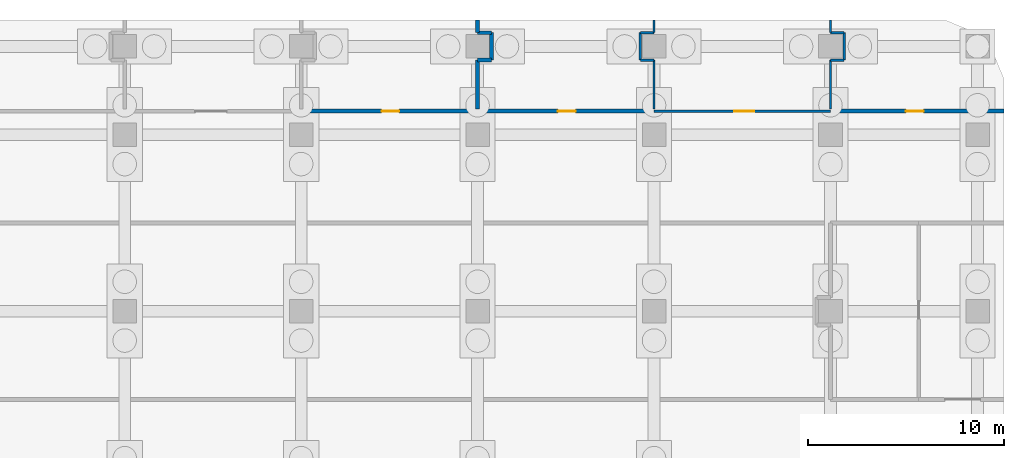
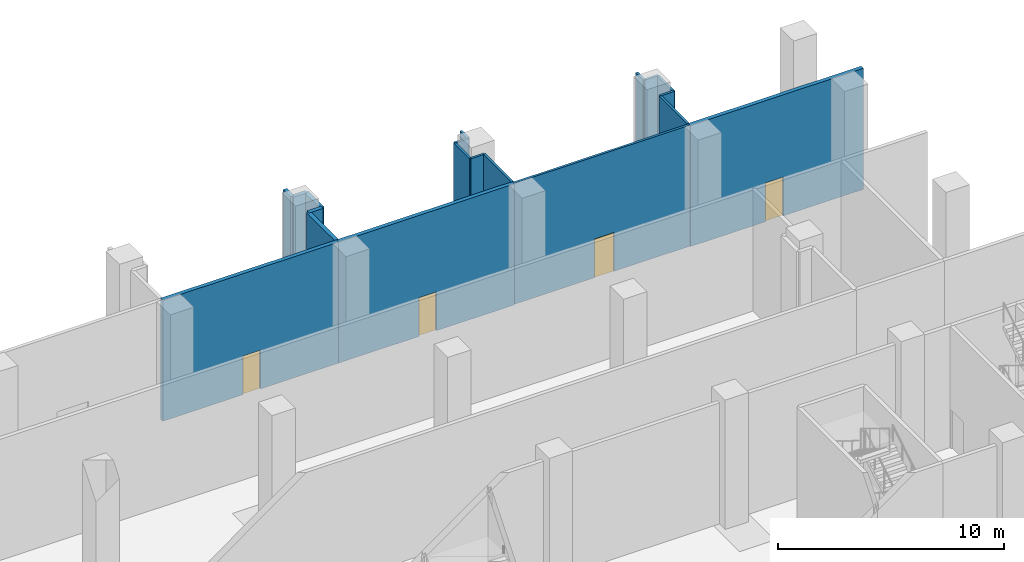
# One storey, part 17 of 23: 19 walls, 4 doors, 4 openings.
"""IFC4 building model written with IfcOpenShell, lengths in metres."""

import ifcopenshell
import ifcopenshell.guid

model = None  # the IFC model being written
_history = None  # IfcOwnerHistory: only IFC2X3 demands one
_inside = {}  # id of a spatial element -> (the spatial element, [elements in it])
_under = {}  # id of a project, library or spatial element -> (it, [spatial elements below it])
_declared = {}  # id of a project -> (the project, [libraries it declares])
_typed = {}  # id of a type object -> (the type object, [elements of that type])
_made_of = {}  # id of a material, layer set ... -> (it, [elements and type objects made of it])


def new_model(schema):
    """Start an empty IFC model of exactly this schema.

    Asked for "IFC4X3", IfcOpenShell would pick the latest addendum, in which some entities
    have other attributes; the version numbers below select the first issue.
    IFC2X3 requires an IfcOwnerHistory on every rooted entity: one is made here for all.
    """
    global model, _history
    if schema == "IFC4X3":
        model = ifcopenshell.file(schema_version=(4, 3, 0, 0))
    else:
        model = ifcopenshell.file(schema=schema)
    _inside.clear()
    _under.clear()
    _declared.clear()
    _typed.clear()
    _made_of.clear()
    _history = None
    if model.schema == "IFC2X3":
        org = make("IfcOrganization", Name="unknown")
        user = make(
            "IfcPersonAndOrganization",
            ThePerson=make("IfcPerson", FamilyName="unknown"),
            TheOrganization=org,
        )
        app = make(
            "IfcApplication",
            ApplicationDeveloper=org,
            Version="unknown",
            ApplicationFullName="unknown",
            ApplicationIdentifier="unknown",
        )
        _history = make(
            "IfcOwnerHistory",
            OwningUser=user,
            OwningApplication=app,
            ChangeAction="ADDED",
            CreationDate=0,
        )
    return model


def make(cls, **values):
    """One entity of the class cls with the attributes given. An attribute that is None is left unset."""
    return model.create_entity(
        cls, **{name: value for name, value in values.items() if value is not None}
    )


def rooted(cls, **values):
    """An entity with a GlobalId (a new one), such as an element, a storey or a relation."""
    return make(cls, GlobalId=ifcopenshell.guid.new(), OwnerHistory=_history, **values)


def si_unit(unit_type, name, prefix=None):
    """IfcSIUnit, for example si_unit("LENGTHUNIT", "METRE", prefix="MILLI")."""
    return make("IfcSIUnit", UnitType=unit_type, Prefix=prefix, Name=name)


def assignment(units):
    """IfcUnitAssignment: the units of a project."""
    return None if units is None else make("IfcUnitAssignment", Units=units)


def point(xyz):
    """IfcCartesianPoint."""
    return None if xyz is None else make("IfcCartesianPoint", Coordinates=xyz)


def direction(xyz):
    """IfcDirection."""
    return None if xyz is None else make("IfcDirection", DirectionRatios=xyz)


def frame(location, z_axis=None, x_axis=None):
    """IfcAxis2Placement3D, a coordinate frame: its origin and axes. An axis left out is left unset."""
    return make(
        "IfcAxis2Placement3D",
        Location=point(location),
        Axis=direction(z_axis),
        RefDirection=direction(x_axis),
    )


def frame_2d(location, x_axis=None):
    """IfcAxis2Placement2D, a coordinate frame in the plane: its origin and x axis."""
    return make(
        "IfcAxis2Placement2D", Location=point(location), RefDirection=direction(x_axis)
    )


def origin():
    """The frame at (0, 0, 0) with its axes left unset."""
    return frame((0.0, 0.0, 0.0))


def place(relative_to, where):
    """IfcLocalPlacement: puts the frame where relative to a parent placement (None: the world)."""
    return make(
        "IfcLocalPlacement", PlacementRelTo=relative_to, RelativePlacement=where
    )


def context(
    kind, dimensions, precision=None, world=None, true_north=None, identifier=None
):
    """IfcGeometricRepresentationContext, for example the 3D "Model" context."""
    return make(
        "IfcGeometricRepresentationContext",
        ContextIdentifier=identifier,
        ContextType=kind,
        CoordinateSpaceDimension=dimensions,
        Precision=precision,
        WorldCoordinateSystem=world,
        TrueNorth=true_north,
    )


def subcontext(parent, identifier, kind, view, scale=None):
    """IfcGeometricRepresentationSubContext, for example "Body" below "Model"."""
    return make(
        "IfcGeometricRepresentationSubContext",
        ContextIdentifier=identifier,
        ContextType=kind,
        ParentContext=parent,
        TargetScale=scale,
        TargetView=view,
    )


def project(units=None, contexts=None):
    """IfcProject with its units and contexts."""
    return rooted(
        "IfcProject",
        Name="project",
        RepresentationContexts=contexts,
        UnitsInContext=assignment(units),
    )


def spatial(cls, under=None, at=None, **own):
    """A site, building, storey or space (cls), placed at a placement, below another one or the project."""
    s = rooted(cls, ObjectPlacement=at, **own)
    if under is not None:
        _under.setdefault(under.id(), (under, []))[1].append(s)
    return s


def profile(cls, at=None, kind="AREA", **sizes):
    """A parametric profile (cls). Its sizes go by their IFC names, for example OverallWidth=200.0."""
    return make(cls, ProfileType=kind, Position=at, **sizes)


def rectangle(**sizes):
    """IfcRectangleProfileDef."""
    return profile("IfcRectangleProfileDef", **sizes)


def extrude(swept, where, along, depth):
    """IfcExtrudedAreaSolid: the profile swept, set in the frame where, extruded along a direction by depth."""
    return make(
        "IfcExtrudedAreaSolid",
        SweptArea=swept,
        Position=where,
        ExtrudedDirection=direction(along),
        Depth=depth,
    )


def shape(context_of_items, identifier, shape_type, items):
    """IfcShapeRepresentation: the items that make up one representation, for example the "Body"."""
    return make(
        "IfcShapeRepresentation",
        ContextOfItems=context_of_items,
        RepresentationIdentifier=identifier,
        RepresentationType=shape_type,
        Items=items,
    )


def material(Name=None, Category=None):
    """IfcMaterial."""
    return make("IfcMaterial", Name=Name, Category=Category)


def layer(
    of_material, thickness, ventilated=None, Name=None, Category=None, Priority=None
):
    """IfcMaterialLayer: one layer of a wall or slab, of a material (None: an air gap)."""
    return make(
        "IfcMaterialLayer",
        Material=of_material,
        LayerThickness=thickness,
        IsVentilated=ventilated,
        Name=Name,
        Category=Category,
        Priority=Priority,
    )


def layer_set(layers, Name=None):
    """IfcMaterialLayerSet."""
    return make("IfcMaterialLayerSet", MaterialLayers=layers, LayerSetName=Name)


def made_of(thing, what):
    """Note that an element or type object is made of a material, layer set ...; save() writes the relation."""
    if what is not None:
        _made_of.setdefault(what.id(), (what, []))[1].append(thing)
    return thing


def type_object(cls, material=None, **own):
    """A type object (cls), such as IfcWallType, which elements share."""
    return made_of(rooted(cls, **own), material)


def element(
    cls,
    number,
    at=None,
    inside=None,
    cuts=None,
    type_object=None,
    material=None,
    context=None,
    identifier="Body",
    shape_type=None,
    held_by="IfcProductDefinitionShape",
    body=None,
    shapes=None,
    **own,
):
    """One element of the class cls, such as IfcWall. Its Tag is "e" and its number.

    at: its placement. inside: the storey or other place that contains it. cuts: it is an
    opening in that element (IfcRelVoidsElement). A single representation is given by context,
    identifier, shape_type and body (its items); several are given by shapes. held_by: the class
    of the entity that holds the representations. save() writes the other relations.
    """
    e = rooted(cls, Tag="e%d" % number, ObjectPlacement=at, **own)
    if body is not None:
        shapes = [shape(context, identifier, shape_type, body)]
    if shapes is not None:
        e.Representation = make(held_by, Representations=shapes)
    if inside is not None:
        _inside.setdefault(inside.id(), (inside, []))[1].append(e)
    if cuts is not None:
        rooted(
            "IfcRelVoidsElement", RelatingBuildingElement=cuts, RelatedOpeningElement=e
        )
    if type_object is not None:
        _typed.setdefault(type_object.id(), (type_object, []))[1].append(e)
    return made_of(e, material)


def fill(opening, filler):
    """IfcRelFillsElement: the door or window that sits in an opening."""
    return rooted(
        "IfcRelFillsElement",
        RelatingOpeningElement=opening,
        RelatedBuildingElement=filler,
    )


def aggregate(whole, parts):
    """IfcRelAggregates: a whole, such as a stair, and the parts it consists of."""
    return rooted("IfcRelAggregates", RelatingObject=whole, RelatedObjects=parts)


def save(model, path):
    """Write the relations noted so far, then the file.

    IfcRelAggregates (storeys below a building ...), IfcRelContainedInSpatialStructure (elements
    in a storey), IfcRelDefinesByType, IfcRelAssociatesMaterial and IfcRelDeclares: one each for
    every whole, place, type object, material and project.
    """
    for whole, parts in _under.values():
        aggregate(whole, parts)
    for where, things in _inside.values():
        rooted(
            "IfcRelContainedInSpatialStructure",
            RelatedElements=things,
            RelatingStructure=where,
        )
    for kind, things in _typed.values():
        rooted("IfcRelDefinesByType", RelatedObjects=things, RelatingType=kind)
    for what, things in _made_of.values():
        rooted("IfcRelAssociatesMaterial", RelatedObjects=things, RelatingMaterial=what)
    for by, libraries in _declared.values():
        rooted("IfcRelDeclares", RelatingContext=by, RelatedDefinitions=libraries)
    model.write(path)


model = new_model("IFC4")

# Units and contexts
model_context = context("Model", 3, precision=1e-05, world=origin(), true_north=direction((0.0, 1.0)))
body_context = subcontext(model_context, "Body", "Model", "MODEL_VIEW")
ifc_project = project(units=[si_unit("LENGTHUNIT", "METRE"), si_unit("AREAUNIT", "SQUARE_METRE"), si_unit("VOLUMEUNIT", "CUBIC_METRE"), si_unit("PLANEANGLEUNIT", "RADIAN"), si_unit("MASSUNIT", "GRAM", prefix="KILO")], contexts=[model_context])

# Site, building, storey
site_placement = place(None, origin())
site = spatial("IfcSite", under=ifc_project, at=site_placement, CompositionType="ELEMENT")
building_placement = place(site_placement, origin())
building = spatial("IfcBuilding", under=site, at=building_placement, Name="Plateau Cross Towers", CompositionType="ELEMENT")
storey_placement = place(building_placement, frame((0.0, 0.0, -7.0)))
storey = spatial("IfcBuildingStorey", under=building, at=storey_placement, Name="B1", CompositionType="ELEMENT", Elevation=-7.0)

# Wall, opening, door
ifc_material_1 = material(Name="Gypsum board on steel studs, two layers each side", Category="steel")
ifc_layer_1 = layer(ifc_material_1, 0.199951171875)
ifc_layer_set_1 = layer_set([ifc_layer_1], Name="Gypsum board on steel studs, two layers each side")
wall_type_1 = type_object("IfcWallType", Name="Podium compartment wall 200", PredefinedType="PARTITIONING", material=ifc_layer_set_1)
wall_1_placement = place(storey_placement, frame((81.0, 55.199951171875, 0.0), z_axis=(0.0, 0.0, 1.0), x_axis=(1.0, 0.0, 0.0)))
wall_1 = element("IfcWall", 1, at=wall_1_placement, inside=storey, type_object=wall_type_1, Name="Partition wall", PredefinedType="PARTITIONING", context=body_context, shape_type="SweptSolid", body=[
    extrude(rectangle(XDim=9.0, YDim=0.199951171875, at=frame_2d((4.5, 0.0))), origin(), (0.0, 0.0, 1.0), 6.550048828125),
])
opening_1_placement = place(wall_1_placement, frame((4.10009765625, 0.0, 0.0)))
opening_1 = element("IfcOpeningElement", 2, at=opening_1_placement, cuts=wall_1, Name="Opening B1-26", PredefinedType="OPENING", context=body_context, shape_type="SweptSolid", body=[
    extrude(rectangle(XDim=0.89990234375, YDim=2.10009765625, at=frame_2d((0.449951171875, 1.050048828125))), frame((0.0, 0.10986328125, 0.0), z_axis=(0.0, -1.0, 0.0), x_axis=(1.0, 0.0, 0.0)), (0.0, 0.0, 1.0), 0.219970703125),
])
ifc_material_2 = material(Name="Timber, fire-resisting leaf", Category="wood")
door_type_1 = type_object("IfcDoorType", Name="Podium service door 900", OperationType="NOTDEFINED", PredefinedType="DOOR", material=ifc_material_2)
door_1_placement = place(opening_1_placement, origin())
door_1 = element("IfcDoor", 3, at=door_1_placement, inside=storey, type_object=door_type_1, Name="Door B1-26", OperationType="SINGLE_SWING_LEFT", OverallHeight=2.10009765625, OverallWidth=0.89990234375, PredefinedType="DOOR", context=body_context, shape_type="SweptSolid", body=[
    extrude(rectangle(XDim=0.89990234375, YDim=2.10009765625, at=frame_2d((0.449951171875, 1.050048828125))), frame((0.0, 0.02490234375, 0.0), z_axis=(0.0, -1.0, 0.0), x_axis=(1.0, 0.0, 0.0)), (0.0, 0.0, 1.0), 0.050048828125),
])
fill(opening_1, door_1)

wall_2_placement = place(storey_placement, frame((72.0, 55.199951171875, 0.0), z_axis=(0.0, 0.0, 1.0), x_axis=(1.0, 0.0, 0.0)))
wall_2 = element("IfcWall", 4, at=wall_2_placement, inside=storey, type_object=wall_type_1, Name="Partition wall", PredefinedType="PARTITIONING", context=body_context, shape_type="SweptSolid", body=[
    extrude(rectangle(XDim=9.0, YDim=0.199951171875, at=frame_2d((4.5, 0.0))), origin(), (0.0, 0.0, 1.0), 6.550048828125),
])
opening_2_placement = place(wall_2_placement, frame((4.10009765625, 0.0, 0.0)))
opening_2 = element("IfcOpeningElement", 5, at=opening_2_placement, cuts=wall_2, Name="Opening B1-25", PredefinedType="OPENING", context=body_context, shape_type="SweptSolid", body=[
    extrude(rectangle(XDim=0.89990234375, YDim=2.10009765625, at=frame_2d((0.449951171875, 1.050048828125))), frame((0.0, 0.10986328125, 0.0), z_axis=(0.0, -1.0, 0.0), x_axis=(1.0, 0.0, 0.0)), (0.0, 0.0, 1.0), 0.219970703125),
])
door_2_placement = place(opening_2_placement, origin())
door_2 = element("IfcDoor", 6, at=door_2_placement, inside=storey, type_object=door_type_1, Name="Door B1-25", OperationType="SINGLE_SWING_LEFT", OverallHeight=2.10009765625, OverallWidth=0.89990234375, PredefinedType="DOOR", context=body_context, shape_type="SweptSolid", body=[
    extrude(rectangle(XDim=0.89990234375, YDim=2.10009765625, at=frame_2d((0.449951171875, 1.050048828125))), frame((0.0, 0.02490234375, 0.0), z_axis=(0.0, -1.0, 0.0), x_axis=(1.0, 0.0, 0.0)), (0.0, 0.0, 1.0), 0.050048828125),
])
fill(opening_2, door_2)

ifc_material_3 = material(Name="Gypsum board on steel studs", Category="steel")
ifc_layer_2 = layer(ifc_material_3, 0.199951171875)
ifc_layer_set_2 = layer_set([ifc_layer_2], Name="Gypsum board on steel studs")
wall_type_2 = type_object("IfcWallType", Name="Podium partition 200", PredefinedType="PARTITIONING", material=ifc_layer_set_2)
wall_3_placement = place(storey_placement, frame((99.0, 55.199951171875, 0.0), z_axis=(0.0, 0.0, 1.0), x_axis=(1.0, 0.0, 0.0)))
wall_3 = element("IfcWall", 7, at=wall_3_placement, inside=storey, type_object=wall_type_2, Name="Partition wall", PredefinedType="PARTITIONING", context=body_context, shape_type="SweptSolid", body=[
    extrude(rectangle(XDim=8.85009765625, YDim=0.199951171875, at=frame_2d((4.425048828125, 0.0))), origin(), (0.0, 0.0, 1.0), 6.550048828125),
])
opening_3_placement = place(wall_3_placement, frame((3.85009765625, 0.0, 0.0)))
opening_3 = element("IfcOpeningElement", 8, at=opening_3_placement, cuts=wall_3, Name="Opening B1-28", PredefinedType="OPENING", context=body_context, shape_type="SweptSolid", body=[
    extrude(rectangle(XDim=0.89990234375, YDim=2.10009765625, at=frame_2d((0.449951171875, 1.050048828125))), frame((0.0, 0.10986328125, 0.0), z_axis=(0.0, -1.0, 0.0), x_axis=(1.0, 0.0, 0.0)), (0.0, 0.0, 1.0), 0.219970703125),
])
ifc_material_4 = material(Name="Timber leaf", Category="wood")
door_type_2 = type_object("IfcDoorType", Name="Podium room door 900", OperationType="NOTDEFINED", PredefinedType="DOOR", material=ifc_material_4)
door_3_placement = place(opening_3_placement, origin())
door_3 = element("IfcDoor", 9, at=door_3_placement, inside=storey, type_object=door_type_2, Name="Door B1-28", OperationType="SINGLE_SWING_LEFT", OverallHeight=2.10009765625, OverallWidth=0.89990234375, PredefinedType="DOOR", context=body_context, shape_type="SweptSolid", body=[
    extrude(rectangle(XDim=0.89990234375, YDim=2.10009765625, at=frame_2d((0.449951171875, 1.050048828125))), frame((0.0, 0.02490234375, 0.0), z_axis=(0.0, -1.0, 0.0), x_axis=(1.0, 0.0, 0.0)), (0.0, 0.0, 1.0), 0.050048828125),
])
fill(opening_3, door_3)

# Walls
wall_4_placement = place(storey_placement, frame((81.0, 59.85009765625, 0.0), z_axis=(0.0, 0.0, 1.0), x_axis=(0.0, -1.0, 0.0)))
element("IfcWall", 10, at=wall_4_placement, inside=storey, type_object=wall_type_2, Name="Partition wall", PredefinedType="PARTITIONING", context=body_context, shape_type="SweptSolid", body=[
    extrude(rectangle(XDim=0.650146484375, YDim=0.199951171875, at=frame_2d((0.3251953125, 0.0))), origin(), (0.0, 0.0, 1.0), 6.550048828125),
])
wall_5_placement = place(storey_placement, frame((81.0, 59.199951171875, 0.0), z_axis=(0.0, 0.0, 1.0), x_axis=(1.0, 0.0, 0.0)))
element("IfcWall", 11, at=wall_5_placement, inside=storey, type_object=wall_type_2, Name="Partition wall", PredefinedType="PARTITIONING", context=body_context, shape_type="SweptSolid", body=[
    extrude(rectangle(XDim=0.699951171875, YDim=0.199951171875, at=frame_2d((0.35009765625, 0.0))), origin(), (0.0, 0.0, 1.0), 6.550048828125),
])
wall_6_placement = place(storey_placement, frame((81.699951171875, 59.199951171875, 0.0), z_axis=(0.0, 0.0, 1.0), x_axis=(0.0, -1.0, 0.0)))
element("IfcWall", 12, at=wall_6_placement, inside=storey, type_object=wall_type_2, Name="Partition wall", PredefinedType="PARTITIONING", context=body_context, shape_type="SweptSolid", body=[
    extrude(rectangle(XDim=1.39990234375, YDim=0.199951171875, at=frame_2d((0.699951171875, 0.0))), origin(), (0.0, 0.0, 1.0), 6.550048828125),
])
wall_7_placement = place(storey_placement, frame((81.699951171875, 57.800048828125, 0.0), z_axis=(0.0, 0.0, 1.0), x_axis=(-1.0, 0.0, 0.0)))
element("IfcWall", 13, at=wall_7_placement, inside=storey, type_object=wall_type_2, Name="Partition wall", PredefinedType="PARTITIONING", context=body_context, shape_type="SweptSolid", body=[
    extrude(rectangle(XDim=0.699951171875, YDim=0.199951171875, at=frame_2d((0.35009765625, 0.0))), origin(), (0.0, 0.0, 1.0), 6.550048828125),
])
wall_8_placement = place(storey_placement, frame((81.0, 57.800048828125, 0.0), z_axis=(0.0, 0.0, 1.0), x_axis=(0.0, -1.0, 0.0)))
element("IfcWall", 14, at=wall_8_placement, inside=storey, type_object=wall_type_2, Name="Partition wall", PredefinedType="PARTITIONING", context=body_context, shape_type="SweptSolid", body=[
    extrude(rectangle(XDim=2.5, YDim=0.199951171875, at=frame_2d((1.25, 0.0))), origin(), (0.0, 0.0, 1.0), 6.550048828125),
])

# Wall, opening, door
ifc_material_5 = material(Name="Moisture-resistant board on steel studs, tiled one side", Category="steel")
ifc_layer_3 = layer(ifc_material_5, 0.1201171875)
ifc_layer_set_3 = layer_set([ifc_layer_3], Name="Moisture-resistant board on steel studs, tiled one side")
wall_type_3 = type_object("IfcWallType", Name="Sanitary partition 120", PredefinedType="PARTITIONING", material=ifc_layer_set_3)
wall_9_placement = place(storey_placement, frame((90.0, 55.199951171875, 0.0), z_axis=(0.0, 0.0, 1.0), x_axis=(1.0, 0.0, 0.0)))
wall_9 = element("IfcWall", 15, at=wall_9_placement, inside=storey, type_object=wall_type_3, Name="Partition wall", PredefinedType="PARTITIONING", context=body_context, shape_type="SweptSolid", body=[
    extrude(rectangle(XDim=9.0, YDim=0.1201171875, at=frame_2d((4.5, 0.0))), origin(), (0.0, 0.0, 1.0), 6.550048828125),
])
opening_4_placement = place(wall_9_placement, frame((4.10009765625, 0.0, 0.0)))
opening_4 = element("IfcOpeningElement", 16, at=opening_4_placement, cuts=wall_9, Name="Opening B1-27", PredefinedType="OPENING", context=body_context, shape_type="SweptSolid", body=[
    extrude(rectangle(XDim=1.0, YDim=2.10009765625, at=frame_2d((0.5, 1.050048828125))), frame((0.0, 0.070068359375, 0.0), z_axis=(0.0, -1.0, 0.0), x_axis=(1.0, 0.0, 0.0)), (0.0, 0.0, 1.0), 0.14013671875),
])
door_type_3 = type_object("IfcDoorType", Name="Podium clinic door 1000", OperationType="NOTDEFINED", PredefinedType="DOOR", material=ifc_material_4)
door_4_placement = place(opening_4_placement, origin())
door_4 = element("IfcDoor", 17, at=door_4_placement, inside=storey, type_object=door_type_3, Name="Door B1-27", OperationType="SINGLE_SWING_LEFT", OverallHeight=2.10009765625, OverallWidth=1.0, PredefinedType="DOOR", context=body_context, shape_type="SweptSolid", body=[
    extrude(rectangle(XDim=1.0, YDim=2.10009765625, at=frame_2d((0.5, 1.050048828125))), frame((0.0, 0.02490234375, 0.0), z_axis=(0.0, -1.0, 0.0), x_axis=(1.0, 0.0, 0.0)), (0.0, 0.0, 1.0), 0.050048828125),
])
fill(opening_4, door_4)

# Walls
wall_10_placement = place(storey_placement, frame((90.0, 59.85009765625, 0.0), z_axis=(0.0, 0.0, 1.0), x_axis=(0.0, -1.0, 0.0)))
element("IfcWall", 18, at=wall_10_placement, inside=storey, type_object=wall_type_3, Name="Partition wall", PredefinedType="PARTITIONING", context=body_context, shape_type="SweptSolid", body=[
    extrude(rectangle(XDim=0.650146484375, YDim=0.1201171875, at=frame_2d((0.3251953125, 0.0))), origin(), (0.0, 0.0, 1.0), 6.550048828125),
])
wall_11_placement = place(storey_placement, frame((90.0, 59.199951171875, 0.0), z_axis=(0.0, 0.0, 1.0), x_axis=(-1.0, 0.0, 0.0)))
element("IfcWall", 19, at=wall_11_placement, inside=storey, type_object=wall_type_3, Name="Partition wall", PredefinedType="PARTITIONING", context=body_context, shape_type="SweptSolid", body=[
    extrude(rectangle(XDim=0.699951171875, YDim=0.1201171875, at=frame_2d((0.35009765625, 0.0))), origin(), (0.0, 0.0, 1.0), 6.550048828125),
])
wall_12_placement = place(storey_placement, frame((89.300048828125, 59.199951171875, 0.0), z_axis=(0.0, 0.0, 1.0), x_axis=(0.0, -1.0, 0.0)))
element("IfcWall", 20, at=wall_12_placement, inside=storey, type_object=wall_type_3, Name="Partition wall", PredefinedType="PARTITIONING", context=body_context, shape_type="SweptSolid", body=[
    extrude(rectangle(XDim=1.39990234375, YDim=0.1201171875, at=frame_2d((0.699951171875, 0.0))), origin(), (0.0, 0.0, 1.0), 6.550048828125),
])
wall_13_placement = place(storey_placement, frame((89.300048828125, 57.800048828125, 0.0), z_axis=(0.0, 0.0, 1.0), x_axis=(1.0, 0.0, 0.0)))
element("IfcWall", 21, at=wall_13_placement, inside=storey, type_object=wall_type_3, Name="Partition wall", PredefinedType="PARTITIONING", context=body_context, shape_type="SweptSolid", body=[
    extrude(rectangle(XDim=0.699951171875, YDim=0.1201171875, at=frame_2d((0.35009765625, 0.0))), origin(), (0.0, 0.0, 1.0), 6.550048828125),
])
wall_14_placement = place(storey_placement, frame((90.0, 57.800048828125, 0.0), z_axis=(0.0, 0.0, 1.0), x_axis=(0.0, -1.0, 0.0)))
element("IfcWall", 22, at=wall_14_placement, inside=storey, type_object=wall_type_3, Name="Partition wall", PredefinedType="PARTITIONING", context=body_context, shape_type="SweptSolid", body=[
    extrude(rectangle(XDim=2.5, YDim=0.1201171875, at=frame_2d((1.25, 0.0))), origin(), (0.0, 0.0, 1.0), 6.550048828125),
])
wall_15_placement = place(storey_placement, frame((99.0, 59.85009765625, 0.0), z_axis=(0.0, 0.0, 1.0), x_axis=(0.0, -1.0, 0.0)))
element("IfcWall", 23, at=wall_15_placement, inside=storey, type_object=wall_type_3, Name="Partition wall", PredefinedType="PARTITIONING", context=body_context, shape_type="SweptSolid", body=[
    extrude(rectangle(XDim=0.650146484375, YDim=0.1201171875, at=frame_2d((0.3251953125, 0.0))), origin(), (0.0, 0.0, 1.0), 6.550048828125),
])
wall_16_placement = place(storey_placement, frame((99.0, 59.199951171875, 0.0), z_axis=(0.0, 0.0, 1.0), x_axis=(1.0, 0.0, 0.0)))
element("IfcWall", 24, at=wall_16_placement, inside=storey, type_object=wall_type_3, Name="Partition wall", PredefinedType="PARTITIONING", context=body_context, shape_type="SweptSolid", body=[
    extrude(rectangle(XDim=0.699951171875, YDim=0.1201171875, at=frame_2d((0.35009765625, 0.0))), origin(), (0.0, 0.0, 1.0), 6.550048828125),
])
wall_17_placement = place(storey_placement, frame((99.699951171875, 59.199951171875, 0.0), z_axis=(0.0, 0.0, 1.0), x_axis=(0.0, -1.0, 0.0)))
element("IfcWall", 25, at=wall_17_placement, inside=storey, type_object=wall_type_3, Name="Partition wall", PredefinedType="PARTITIONING", context=body_context, shape_type="SweptSolid", body=[
    extrude(rectangle(XDim=1.39990234375, YDim=0.1201171875, at=frame_2d((0.699951171875, 0.0))), origin(), (0.0, 0.0, 1.0), 6.550048828125),
])
wall_18_placement = place(storey_placement, frame((99.699951171875, 57.800048828125, 0.0), z_axis=(0.0, 0.0, 1.0), x_axis=(-1.0, 0.0, 0.0)))
element("IfcWall", 26, at=wall_18_placement, inside=storey, type_object=wall_type_3, Name="Partition wall", PredefinedType="PARTITIONING", context=body_context, shape_type="SweptSolid", body=[
    extrude(rectangle(XDim=0.699951171875, YDim=0.1201171875, at=frame_2d((0.35009765625, 0.0))), origin(), (0.0, 0.0, 1.0), 6.550048828125),
])
wall_19_placement = place(storey_placement, frame((99.0, 57.800048828125, 0.0), z_axis=(0.0, 0.0, 1.0), x_axis=(0.0, -1.0, 0.0)))
element("IfcWall", 27, at=wall_19_placement, inside=storey, type_object=wall_type_3, Name="Partition wall", PredefinedType="PARTITIONING", context=body_context, shape_type="SweptSolid", body=[
    extrude(rectangle(XDim=2.5, YDim=0.1201171875, at=frame_2d((1.25, 0.0))), origin(), (0.0, 0.0, 1.0), 6.550048828125),
])

save(model, "model.ifc")
